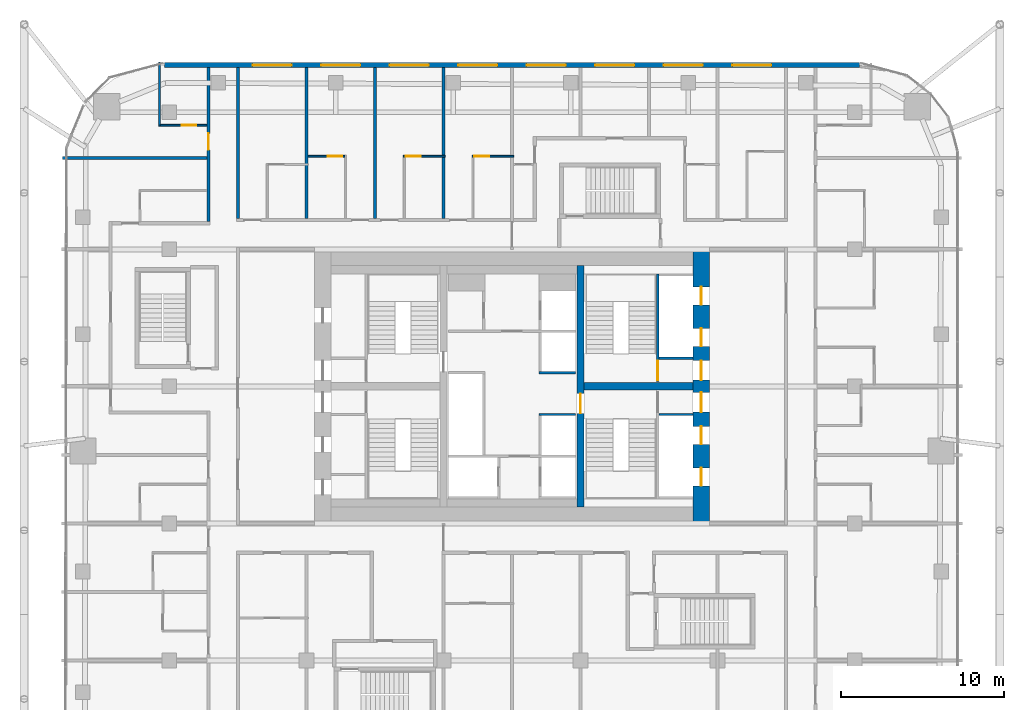
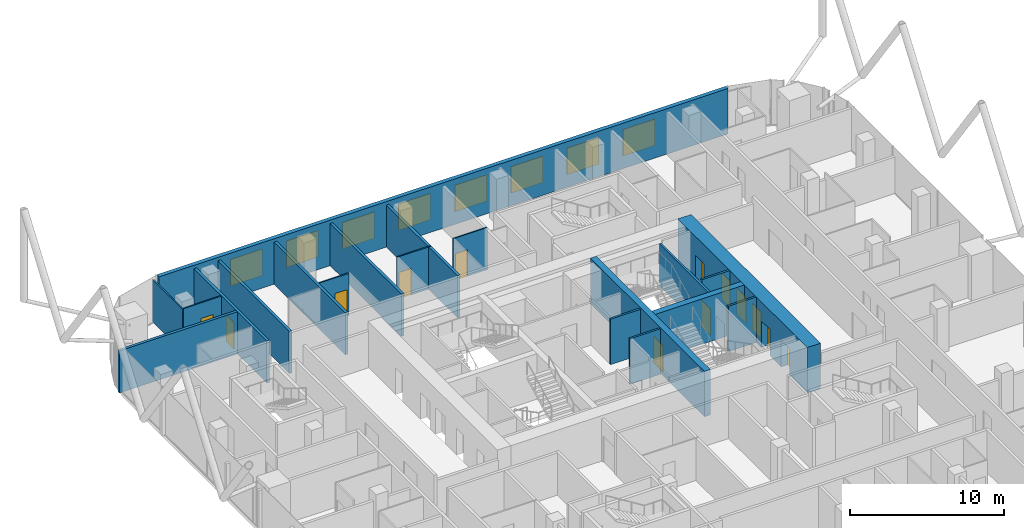
# One storey, part 32 of 36: 20 walls, 13 doors, 8 windows, 21 openings.
"""IFC4 building model written with IfcOpenShell, lengths in metres."""

from ifc_helpers import new_model, si_unit, direction, frame, frame_2d, origin, place, context, subcontext, project, spatial, rectangle, extrude, material, layer, layer_set, type_object, element, fill, save


model = new_model("IFC4")

# Units and contexts
model_context = context("Model", 3, precision=1e-05, world=origin(), true_north=direction((0.0, 1.0)))
body_context = subcontext(model_context, "Body", "Model", "MODEL_VIEW")
ifc_project = project(units=[si_unit("LENGTHUNIT", "METRE"), si_unit("AREAUNIT", "SQUARE_METRE"), si_unit("VOLUMEUNIT", "CUBIC_METRE"), si_unit("PLANEANGLEUNIT", "RADIAN"), si_unit("MASSUNIT", "GRAM", prefix="KILO")], contexts=[model_context])

# Site, building, storey
site_placement = place(None, origin())
site = spatial("IfcSite", under=ifc_project, at=site_placement, CompositionType="ELEMENT")
building_placement = place(site_placement, origin())
building = spatial("IfcBuilding", under=site, at=building_placement, Name="Marenta Gate Hotel Tower", CompositionType="ELEMENT")
storey_placement = place(building_placement, frame((0.0, 0.0, 115.699951171875)))
storey = spatial("IfcBuildingStorey", under=building, at=storey_placement, Name="L25", CompositionType="ELEMENT", Elevation=115.699951171875)

# Wall, openings, windows
ifc_material_1 = material(Name="Concrete C40 board-marked", Category="concrete")
ifc_layer_1 = layer(ifc_material_1, 0.300048828125)
ifc_layer_set_1 = layer_set([ifc_layer_1], Name="Concrete C40 board-marked")
wall_type_1 = type_object("IfcWallType", Name="Board-marked concrete wall 300 mm", PredefinedType="NOTDEFINED", material=ifc_layer_set_1)
wall_1_placement = place(storey_placement, frame((21.305908203125, 28.090087890625, 0.0), z_axis=(0.0, 0.0, 1.0), x_axis=(-1.0, 0.0, 0.0)))
wall_1 = element("IfcWall", 1, at=wall_1_placement, inside=storey, type_object=wall_type_1, Name="L25-CLD-N00", PredefinedType="NOTDEFINED", context=body_context, shape_type="SweptSolid", body=[
    extrude(rectangle(XDim=42.61181640625, YDim=0.300048828125, at=frame_2d((21.305908203125, 0.0))), origin(), (0.0, 0.0, 1.0), 3.60009765625),
])
opening_1_placement = place(wall_1_placement, frame((5.406005859375, 0.0, 0.89990234375)))
opening_1 = element("IfcOpeningElement", 2, at=opening_1_placement, cuts=wall_1, Name="Opening W1", PredefinedType="OPENING", context=body_context, shape_type="SweptSolid", body=[
    extrude(rectangle(XDim=2.39990234375, YDim=2.10009765625, at=frame_2d((1.199951171875, 1.050048828125))), frame((0.0, 0.14990234375, 0.0), z_axis=(0.0, -1.0, 0.0), x_axis=(1.0, 0.0, 0.0)), (0.0, 0.0, 1.0), 0.300048828125),
])
opening_2_placement = place(wall_1_placement, frame((9.60595703125, 0.0, 0.89990234375)))
opening_2 = element("IfcOpeningElement", 3, at=opening_2_placement, cuts=wall_1, Name="Opening W1", PredefinedType="OPENING", context=body_context, shape_type="SweptSolid", body=[
    extrude(rectangle(XDim=2.39990234375, YDim=2.10009765625, at=frame_2d((1.199951171875, 1.050048828125))), frame((0.0, 0.14990234375, 0.0), z_axis=(0.0, -1.0, 0.0), x_axis=(1.0, 0.0, 0.0)), (0.0, 0.0, 1.0), 0.300048828125),
])
opening_3_placement = place(wall_1_placement, frame((13.805908203125, 0.0, 0.89990234375)))
opening_3 = element("IfcOpeningElement", 4, at=opening_3_placement, cuts=wall_1, Name="Opening W1", PredefinedType="OPENING", context=body_context, shape_type="SweptSolid", body=[
    extrude(rectangle(XDim=2.39990234375, YDim=2.10009765625, at=frame_2d((1.199951171875, 1.050048828125))), frame((0.0, 0.14990234375, 0.0), z_axis=(0.0, -1.0, 0.0), x_axis=(1.0, 0.0, 0.0)), (0.0, 0.0, 1.0), 0.300048828125),
])
opening_4_placement = place(wall_1_placement, frame((18.005859375, 0.0, 0.89990234375)))
opening_4 = element("IfcOpeningElement", 5, at=opening_4_placement, cuts=wall_1, Name="Opening W1", PredefinedType="OPENING", context=body_context, shape_type="SweptSolid", body=[
    extrude(rectangle(XDim=2.39990234375, YDim=2.10009765625, at=frame_2d((1.199951171875, 1.050048828125))), frame((0.0, 0.14990234375, 0.0), z_axis=(0.0, -1.0, 0.0), x_axis=(1.0, 0.0, 0.0)), (0.0, 0.0, 1.0), 0.300048828125),
])
opening_5_placement = place(wall_1_placement, frame((22.205810546875, 0.0, 0.89990234375)))
opening_5 = element("IfcOpeningElement", 6, at=opening_5_placement, cuts=wall_1, Name="Opening W1", PredefinedType="OPENING", context=body_context, shape_type="SweptSolid", body=[
    extrude(rectangle(XDim=2.39990234375, YDim=2.10009765625, at=frame_2d((1.199951171875, 1.050048828125))), frame((0.0, 0.14990234375, 0.0), z_axis=(0.0, -1.0, 0.0), x_axis=(1.0, 0.0, 0.0)), (0.0, 0.0, 1.0), 0.300048828125),
])
opening_6_placement = place(wall_1_placement, frame((26.406005859375, 0.0, 0.89990234375)))
opening_6 = element("IfcOpeningElement", 7, at=opening_6_placement, cuts=wall_1, Name="Opening W1", PredefinedType="OPENING", context=body_context, shape_type="SweptSolid", body=[
    extrude(rectangle(XDim=2.39990234375, YDim=2.10009765625, at=frame_2d((1.199951171875, 1.050048828125))), frame((0.0, 0.14990234375, 0.0), z_axis=(0.0, -1.0, 0.0), x_axis=(1.0, 0.0, 0.0)), (0.0, 0.0, 1.0), 0.300048828125),
])
opening_7_placement = place(wall_1_placement, frame((30.60595703125, 0.0, 0.89990234375)))
opening_7 = element("IfcOpeningElement", 8, at=opening_7_placement, cuts=wall_1, Name="Opening W1", PredefinedType="OPENING", context=body_context, shape_type="SweptSolid", body=[
    extrude(rectangle(XDim=2.39990234375, YDim=2.10009765625, at=frame_2d((1.199951171875, 1.050048828125))), frame((0.0, 0.14990234375, 0.0), z_axis=(0.0, -1.0, 0.0), x_axis=(1.0, 0.0, 0.0)), (0.0, 0.0, 1.0), 0.300048828125),
])
opening_8_placement = place(wall_1_placement, frame((34.805908203125, 0.0, 0.89990234375)))
opening_8 = element("IfcOpeningElement", 9, at=opening_8_placement, cuts=wall_1, Name="Opening W1", PredefinedType="OPENING", context=body_context, shape_type="SweptSolid", body=[
    extrude(rectangle(XDim=2.39990234375, YDim=2.10009765625, at=frame_2d((1.199951171875, 1.050048828125))), frame((0.0, 0.14990234375, 0.0), z_axis=(0.0, -1.0, 0.0), x_axis=(1.0, 0.0, 0.0)), (0.0, 0.0, 1.0), 0.300048828125),
])
ifc_material_2 = material(Name="Tinted insulated glass in bronze anodised frame", Category="glass")
window_type = type_object("IfcWindowType", Name="Window W1 2400x2100 bronze frame", PartitioningType="SINGLE_PANEL", PredefinedType="WINDOW", material=ifc_material_2)
window_1_placement = place(opening_1_placement, origin())
window_1 = element("IfcWindow", 10, at=window_1_placement, inside=storey, type_object=window_type, Name="Window W1", OverallHeight=2.10009765625, OverallWidth=2.39990234375, PartitioningType="SINGLE_PANEL", PredefinedType="WINDOW", context=body_context, shape_type="SweptSolid", body=[
    extrude(rectangle(XDim=2.39990234375, YDim=2.10009765625, at=frame_2d((1.199951171875, 1.050048828125))), frame((0.0, 0.030029296875, 0.0), z_axis=(0.0, -1.0, 0.0), x_axis=(1.0, 0.0, 0.0)), (0.0, 0.0, 1.0), 0.06005859375),
])
fill(opening_1, window_1)
window_2_placement = place(opening_2_placement, origin())
window_2 = element("IfcWindow", 11, at=window_2_placement, inside=storey, type_object=window_type, Name="Window W1", OverallHeight=2.10009765625, OverallWidth=2.39990234375, PartitioningType="SINGLE_PANEL", PredefinedType="WINDOW", context=body_context, shape_type="SweptSolid", body=[
    extrude(rectangle(XDim=2.39990234375, YDim=2.10009765625, at=frame_2d((1.199951171875, 1.050048828125))), frame((0.0, 0.030029296875, 0.0), z_axis=(0.0, -1.0, 0.0), x_axis=(1.0, 0.0, 0.0)), (0.0, 0.0, 1.0), 0.06005859375),
])
fill(opening_2, window_2)
window_3_placement = place(opening_3_placement, origin())
window_3 = element("IfcWindow", 12, at=window_3_placement, inside=storey, type_object=window_type, Name="Window W1", OverallHeight=2.10009765625, OverallWidth=2.39990234375, PartitioningType="SINGLE_PANEL", PredefinedType="WINDOW", context=body_context, shape_type="SweptSolid", body=[
    extrude(rectangle(XDim=2.39990234375, YDim=2.10009765625, at=frame_2d((1.199951171875, 1.050048828125))), frame((0.0, 0.030029296875, 0.0), z_axis=(0.0, -1.0, 0.0), x_axis=(1.0, 0.0, 0.0)), (0.0, 0.0, 1.0), 0.06005859375),
])
fill(opening_3, window_3)
window_4_placement = place(opening_4_placement, origin())
window_4 = element("IfcWindow", 13, at=window_4_placement, inside=storey, type_object=window_type, Name="Window W1", OverallHeight=2.10009765625, OverallWidth=2.39990234375, PartitioningType="SINGLE_PANEL", PredefinedType="WINDOW", context=body_context, shape_type="SweptSolid", body=[
    extrude(rectangle(XDim=2.39990234375, YDim=2.10009765625, at=frame_2d((1.199951171875, 1.050048828125))), frame((0.0, 0.030029296875, 0.0), z_axis=(0.0, -1.0, 0.0), x_axis=(1.0, 0.0, 0.0)), (0.0, 0.0, 1.0), 0.06005859375),
])
fill(opening_4, window_4)
window_5_placement = place(opening_5_placement, origin())
window_5 = element("IfcWindow", 14, at=window_5_placement, inside=storey, type_object=window_type, Name="Window W1", OverallHeight=2.10009765625, OverallWidth=2.39990234375, PartitioningType="SINGLE_PANEL", PredefinedType="WINDOW", context=body_context, shape_type="SweptSolid", body=[
    extrude(rectangle(XDim=2.39990234375, YDim=2.10009765625, at=frame_2d((1.199951171875, 1.050048828125))), frame((0.0, 0.030029296875, 0.0), z_axis=(0.0, -1.0, 0.0), x_axis=(1.0, 0.0, 0.0)), (0.0, 0.0, 1.0), 0.06005859375),
])
fill(opening_5, window_5)
window_6_placement = place(opening_6_placement, origin())
window_6 = element("IfcWindow", 15, at=window_6_placement, inside=storey, type_object=window_type, Name="Window W1", OverallHeight=2.10009765625, OverallWidth=2.39990234375, PartitioningType="SINGLE_PANEL", PredefinedType="WINDOW", context=body_context, shape_type="SweptSolid", body=[
    extrude(rectangle(XDim=2.39990234375, YDim=2.10009765625, at=frame_2d((1.199951171875, 1.050048828125))), frame((0.0, 0.030029296875, 0.0), z_axis=(0.0, -1.0, 0.0), x_axis=(1.0, 0.0, 0.0)), (0.0, 0.0, 1.0), 0.06005859375),
])
fill(opening_6, window_6)
window_7_placement = place(opening_7_placement, origin())
window_7 = element("IfcWindow", 16, at=window_7_placement, inside=storey, type_object=window_type, Name="Window W1", OverallHeight=2.10009765625, OverallWidth=2.39990234375, PartitioningType="SINGLE_PANEL", PredefinedType="WINDOW", context=body_context, shape_type="SweptSolid", body=[
    extrude(rectangle(XDim=2.39990234375, YDim=2.10009765625, at=frame_2d((1.199951171875, 1.050048828125))), frame((0.0, 0.030029296875, 0.0), z_axis=(0.0, -1.0, 0.0), x_axis=(1.0, 0.0, 0.0)), (0.0, 0.0, 1.0), 0.06005859375),
])
fill(opening_7, window_7)
window_8_placement = place(opening_8_placement, origin())
window_8 = element("IfcWindow", 17, at=window_8_placement, inside=storey, type_object=window_type, Name="Window W1", OverallHeight=2.10009765625, OverallWidth=2.39990234375, PartitioningType="SINGLE_PANEL", PredefinedType="WINDOW", context=body_context, shape_type="SweptSolid", body=[
    extrude(rectangle(XDim=2.39990234375, YDim=2.10009765625, at=frame_2d((1.199951171875, 1.050048828125))), frame((0.0, 0.030029296875, 0.0), z_axis=(0.0, -1.0, 0.0), x_axis=(1.0, 0.0, 0.0)), (0.0, 0.0, 1.0), 0.06005859375),
])
fill(opening_8, window_8)

# Walls
ifc_material_3 = material(Name="Concrete C40", Category="concrete")
ifc_layer_2 = layer(ifc_material_3, 0.14990234375)
ifc_layer_set_2 = layer_set([ifc_layer_2], Name="Concrete C40")
wall_type_2 = type_object("IfcWallType", Name="Core shaft wall 150 REI 180", PredefinedType="SHEAR", material=ifc_layer_set_2)
for number, where, z_axis, x_axis, name in (
    (18, (9.0, 6.675048828125, 0.0), (0.0, 0.0, 1.0), (1.0, 0.0, 0.0), "L25-SHF-SW-ES-2"),
    (19, (9.0, 10.125, 0.0), (0.0, 0.0, 1.0), (1.0, 0.0, 0.0), "L25-SHF-SW-EN-2"),
):
    element("IfcWall", number, at=place(storey_placement, frame(where, z_axis=z_axis, x_axis=x_axis)), inside=storey, type_object=wall_type_2, Name=name, PredefinedType="SHEAR", context=body_context, shape_type="SweptSolid", body=[
        extrude(rectangle(XDim=2.10009765625, YDim=0.14990234375, at=frame_2d((1.050048828125, 0.0))), origin(), (0.0, 0.0, 1.0), 3.60009765625),
    ])
for number, where, z_axis, x_axis, name in (
    (20, (1.64990234375, 6.675048828125, 0.0), (0.0, 0.0, 1.0), (1.0, 0.0, 0.0), "L25-SHF-CE-sep1"),
    (21, (1.64990234375, 9.22509765625, 0.0), (0.0, 0.0, 1.0), (1.0, 0.0, 0.0), "L25-SHF-CE-sep2"),
):
    element("IfcWall", number, at=place(storey_placement, frame(where, z_axis=z_axis, x_axis=x_axis)), inside=storey, type_object=wall_type_2, Name=name, PredefinedType="SHEAR", context=body_context, shape_type="SweptSolid", body=[
        extrude(rectangle(XDim=2.25, YDim=0.14990234375, at=frame_2d((1.125, 0.0))), origin(), (0.0, 0.0, 1.0), 3.60009765625),
    ])

# Wall, opening, door
ifc_material_4 = material(Name="Concrete C40", Category="concrete")
ifc_layer_3 = layer(ifc_material_4, 0.14990234375)
ifc_layer_set_3 = layer_set([ifc_layer_3], Name="Concrete C40")
wall_type_3 = type_object("IfcWallType", Name="Core stair enclosure wall 150 REI 180", PredefinedType="SHEAR", material=ifc_layer_set_3)
wall_2_placement = place(storey_placement, frame((8.925048828125, 8.699951171875, 0.0), z_axis=(0.0, 0.0, 1.0), x_axis=(0.0, 1.0, 0.0)))
wall_2 = element("IfcWall", 22, at=wall_2_placement, inside=storey, type_object=wall_type_3, Name="L25-SHF-SW-EN-3", PredefinedType="SHEAR", context=body_context, shape_type="SweptSolid", body=[
    extrude(rectangle(XDim=6.60009765625, YDim=0.14990234375, at=frame_2d((3.300048828125, 0.0))), origin(), (0.0, 0.0, 1.0), 3.340087890625),
])
opening_9_placement = place(wall_2_placement, frame((0.074951171875, 0.0, 0.0)))
opening_9 = element("IfcOpeningElement", 23, at=opening_9_placement, cuts=wall_2, Name="Opening SD-EN", PredefinedType="OPENING", context=body_context, shape_type="SweptSolid", body=[
    extrude(rectangle(XDim=1.199951171875, YDim=2.10009765625, at=frame_2d((0.60009765625, 1.050048828125))), frame((0.0, 0.074951171875, 0.0), z_axis=(0.0, -1.0, 0.0), x_axis=(1.0, 0.0, 0.0)), (0.0, 0.0, 1.0), 0.14990234375),
])
ifc_material_5 = material(Name="Steel", Category="steel")
door_type_1 = type_object("IfcDoorType", Name="Core stair door 1200x2100 FD60", OperationType="SINGLE_SWING_LEFT", PredefinedType="DOOR", material=ifc_material_5)
door_1_placement = place(opening_9_placement, origin())
door_1 = element("IfcDoor", 24, at=door_1_placement, inside=storey, type_object=door_type_1, Name="SD-EN", OperationType="SINGLE_SWING_LEFT", OverallHeight=2.10009765625, OverallWidth=1.199951171875, PredefinedType="DOOR", context=body_context, shape_type="SweptSolid", body=[
    extrude(rectangle(XDim=1.199951171875, YDim=2.10009765625, at=frame_2d((0.60009765625, 1.050048828125))), frame((0.0, 0.02490234375, 0.0), z_axis=(0.0, -1.0, 0.0), x_axis=(1.0, 0.0, 0.0)), (0.0, 0.0, 1.0), 0.050048828125),
])
fill(opening_9, door_1)

# Wall, openings, doors
ifc_material_6 = material(Name="Concrete C70", Category="concrete")
ifc_layer_4 = layer(ifc_material_6, 1.0)
ifc_layer_set_4 = layer_set([ifc_layer_4], Name="Concrete C70")
wall_type_4 = type_object("IfcWallType", Name="Core wall 1000 C70", PredefinedType="SHEAR", material=ifc_layer_set_4)
wall_3_placement = place(storey_placement, frame((11.60009765625, 0.0, 0.0), z_axis=(0.0, 0.0, 1.0), x_axis=(0.0, 1.0, 0.0)))
wall_3 = element("IfcWall", 25, at=wall_3_placement, inside=storey, type_object=wall_type_4, Name="L25-CORE-E", PredefinedType="SHEAR", context=body_context, shape_type="SweptSolid", body=[
    extrude(rectangle(XDim=16.800048828125, YDim=1.0, at=frame_2d((8.39990234375, 0.0))), origin(), (0.0, 0.0, 1.0), 3.60009765625),
])
opening_10_placement = place(wall_3_placement, frame((2.300048828125, 0.0, 0.0)))
opening_10 = element("IfcOpeningElement", 26, at=opening_10_placement, cuts=wall_3, Name="Opening LD-HR1", PredefinedType="OPENING", context=body_context, shape_type="SweptSolid", body=[
    extrude(rectangle(XDim=1.10009765625, YDim=2.10009765625, at=frame_2d((0.550048828125, 1.050048828125))), frame((0.0, 0.5, 0.0), z_axis=(0.0, -1.0, 0.0), x_axis=(1.0, 0.0, 0.0)), (0.0, 0.0, 1.0), 1.0),
])
opening_11_placement = place(wall_3_placement, frame((4.85009765625, 0.0, 0.0)))
opening_11 = element("IfcOpeningElement", 27, at=opening_11_placement, cuts=wall_3, Name="Opening LD-HR2", PredefinedType="OPENING", context=body_context, shape_type="SweptSolid", body=[
    extrude(rectangle(XDim=1.10009765625, YDim=2.10009765625, at=frame_2d((0.550048828125, 1.050048828125))), frame((0.0, 0.5, 0.0), z_axis=(0.0, -1.0, 0.0), x_axis=(1.0, 0.0, 0.0)), (0.0, 0.0, 1.0), 1.0),
])
opening_12_placement = place(wall_3_placement, frame((6.824951171875, 0.0, 0.0)))
opening_12 = element("IfcOpeningElement", 28, at=opening_12_placement, cuts=wall_3, Name="Opening PD-ES", PredefinedType="OPENING", context=body_context, shape_type="SweptSolid", body=[
    extrude(rectangle(XDim=1.199951171875, YDim=2.10009765625, at=frame_2d((0.60009765625, 1.050048828125))), frame((0.0, 0.5, 0.0), z_axis=(0.0, -1.0, 0.0), x_axis=(1.0, 0.0, 0.0)), (0.0, 0.0, 1.0), 1.0),
])
opening_13_placement = place(wall_3_placement, frame((13.39990234375, 0.0, 0.0)))
opening_13 = element("IfcOpeningElement", 29, at=opening_13_placement, cuts=wall_3, Name="Opening LD-HR4", PredefinedType="OPENING", context=body_context, shape_type="SweptSolid", body=[
    extrude(rectangle(XDim=1.10009765625, YDim=2.10009765625, at=frame_2d((0.550048828125, 1.050048828125))), frame((0.0, 0.5, 0.0), z_axis=(0.0, -1.0, 0.0), x_axis=(1.0, 0.0, 0.0)), (0.0, 0.0, 1.0), 1.0),
])
opening_14_placement = place(wall_3_placement, frame((10.85009765625, 0.0, 0.0)))
opening_14 = element("IfcOpeningElement", 30, at=opening_14_placement, cuts=wall_3, Name="Opening LD-HR3", PredefinedType="OPENING", context=body_context, shape_type="SweptSolid", body=[
    extrude(rectangle(XDim=1.10009765625, YDim=2.10009765625, at=frame_2d((0.550048828125, 1.050048828125))), frame((0.0, 0.5, 0.0), z_axis=(0.0, -1.0, 0.0), x_axis=(1.0, 0.0, 0.0)), (0.0, 0.0, 1.0), 1.0),
])
opening_15_placement = place(wall_3_placement, frame((8.77490234375, 0.0, 0.0)))
opening_15 = element("IfcOpeningElement", 31, at=opening_15_placement, cuts=wall_3, Name="Opening PD-EN", PredefinedType="OPENING", context=body_context, shape_type="SweptSolid", body=[
    extrude(rectangle(XDim=1.199951171875, YDim=2.10009765625, at=frame_2d((0.60009765625, 1.050048828125))), frame((0.0, 0.5, 0.0), z_axis=(0.0, -1.0, 0.0), x_axis=(1.0, 0.0, 0.0)), (0.0, 0.0, 1.0), 1.0),
])
ifc_material_7 = material(Name="Steel", Category="steel")
door_type_2 = type_object("IfcDoorType", Name="Core lift landing door 1100x2100 E 60", OperationType="SLIDING_TO_LEFT", PredefinedType="DOOR", material=ifc_material_7)
door_2_placement = place(opening_10_placement, origin())
door_2 = element("IfcDoor", 32, at=door_2_placement, inside=storey, type_object=door_type_2, Name="LD-HR1", OperationType="SLIDING_TO_LEFT", OverallHeight=2.10009765625, OverallWidth=1.10009765625, PredefinedType="DOOR", context=body_context, shape_type="SweptSolid", body=[
    extrude(rectangle(XDim=1.10009765625, YDim=2.10009765625, at=frame_2d((0.550048828125, 1.050048828125))), frame((0.0, 0.02490234375, 0.0), z_axis=(0.0, -1.0, 0.0), x_axis=(1.0, 0.0, 0.0)), (0.0, 0.0, 1.0), 0.050048828125),
])
fill(opening_10, door_2)
door_3_placement = place(opening_11_placement, origin())
door_3 = element("IfcDoor", 33, at=door_3_placement, inside=storey, type_object=door_type_2, Name="LD-HR2", OperationType="SLIDING_TO_LEFT", OverallHeight=2.10009765625, OverallWidth=1.10009765625, PredefinedType="DOOR", context=body_context, shape_type="SweptSolid", body=[
    extrude(rectangle(XDim=1.10009765625, YDim=2.10009765625, at=frame_2d((0.550048828125, 1.050048828125))), frame((0.0, 0.02490234375, 0.0), z_axis=(0.0, -1.0, 0.0), x_axis=(1.0, 0.0, 0.0)), (0.0, 0.0, 1.0), 0.050048828125),
])
fill(opening_11, door_3)
door_4_placement = place(opening_13_placement, origin())
door_4 = element("IfcDoor", 34, at=door_4_placement, inside=storey, type_object=door_type_2, Name="LD-HR4", OperationType="SLIDING_TO_LEFT", OverallHeight=2.10009765625, OverallWidth=1.10009765625, PredefinedType="DOOR", context=body_context, shape_type="SweptSolid", body=[
    extrude(rectangle(XDim=1.10009765625, YDim=2.10009765625, at=frame_2d((0.550048828125, 1.050048828125))), frame((0.0, 0.02490234375, 0.0), z_axis=(0.0, -1.0, 0.0), x_axis=(1.0, 0.0, 0.0)), (0.0, 0.0, 1.0), 0.050048828125),
])
fill(opening_13, door_4)
door_5_placement = place(opening_14_placement, origin())
door_5 = element("IfcDoor", 35, at=door_5_placement, inside=storey, type_object=door_type_2, Name="LD-HR3", OperationType="SLIDING_TO_LEFT", OverallHeight=2.10009765625, OverallWidth=1.10009765625, PredefinedType="DOOR", context=body_context, shape_type="SweptSolid", body=[
    extrude(rectangle(XDim=1.10009765625, YDim=2.10009765625, at=frame_2d((0.550048828125, 1.050048828125))), frame((0.0, 0.02490234375, 0.0), z_axis=(0.0, -1.0, 0.0), x_axis=(1.0, 0.0, 0.0)), (0.0, 0.0, 1.0), 0.050048828125),
])
fill(opening_14, door_5)
ifc_material_8 = material(Name="Steel", Category="steel")
door_type_3 = type_object("IfcDoorType", Name="Core lobby door 1200x2100 FD60", OperationType="SINGLE_SWING_LEFT", PredefinedType="DOOR", material=ifc_material_8)
door_6_placement = place(opening_12_placement, origin())
door_6 = element("IfcDoor", 36, at=door_6_placement, inside=storey, type_object=door_type_3, Name="PD-ES", OperationType="SINGLE_SWING_LEFT", OverallHeight=2.10009765625, OverallWidth=1.199951171875, PredefinedType="DOOR", context=body_context, shape_type="SweptSolid", body=[
    extrude(rectangle(XDim=1.199951171875, YDim=2.10009765625, at=frame_2d((0.60009765625, 1.050048828125))), frame((0.0, 0.02490234375, 0.0), z_axis=(0.0, -1.0, 0.0), x_axis=(1.0, 0.0, 0.0)), (0.0, 0.0, 1.0), 0.050048828125),
])
fill(opening_12, door_6)
door_7_placement = place(opening_15_placement, origin())
door_7 = element("IfcDoor", 37, at=door_7_placement, inside=storey, type_object=door_type_3, Name="PD-EN", OperationType="SINGLE_SWING_LEFT", OverallHeight=2.10009765625, OverallWidth=1.199951171875, PredefinedType="DOOR", context=body_context, shape_type="SweptSolid", body=[
    extrude(rectangle(XDim=1.199951171875, YDim=2.10009765625, at=frame_2d((0.60009765625, 1.050048828125))), frame((0.0, 0.02490234375, 0.0), z_axis=(0.0, -1.0, 0.0), x_axis=(1.0, 0.0, 0.0)), (0.0, 0.0, 1.0), 0.050048828125),
])
fill(opening_15, door_7)

# Wall, opening, door
ifc_material_9 = material(Name="Concrete C70", Category="concrete")
ifc_layer_5 = layer(ifc_material_9, 0.449951171875)
ifc_layer_set_5 = layer_set([ifc_layer_5], Name="Concrete C70")
wall_type_5 = type_object("IfcWallType", Name="Core web 450 C70", PredefinedType="SHEAR", material=ifc_layer_set_5)
wall_4_placement = place(storey_placement, frame((4.199951171875, 1.0, 0.0), z_axis=(0.0, 0.0, 1.0), x_axis=(0.0, 1.0, 0.0)))
wall_4 = element("IfcWall", 38, at=wall_4_placement, inside=storey, type_object=wall_type_5, Name="L25-CORE-W2", PredefinedType="SHEAR", context=body_context, shape_type="SweptSolid", body=[
    extrude(rectangle(XDim=14.800048828125, YDim=0.449951171875, at=frame_2d((7.39990234375, 0.0))), origin(), (0.0, 0.0, 1.0), 3.60009765625),
])
opening_16_placement = place(wall_4_placement, frame((5.75, 0.0, 0.0)))
opening_16 = element("IfcOpeningElement", 39, at=opening_16_placement, cuts=wall_4, Name="Opening WD-E", PredefinedType="OPENING", context=body_context, shape_type="SweptSolid", body=[
    extrude(rectangle(XDim=1.199951171875, YDim=2.10009765625, at=frame_2d((0.60009765625, 1.050048828125))), frame((0.0, 0.22509765625, 0.0), z_axis=(0.0, -1.0, 0.0), x_axis=(1.0, 0.0, 0.0)), (0.0, 0.0, 1.0), 0.449951171875),
])
door_8_placement = place(opening_16_placement, origin())
door_8 = element("IfcDoor", 40, at=door_8_placement, inside=storey, type_object=door_type_1, Name="WD-E", OperationType="SINGLE_SWING_LEFT", OverallHeight=2.10009765625, OverallWidth=1.199951171875, PredefinedType="DOOR", context=body_context, shape_type="SweptSolid", body=[
    extrude(rectangle(XDim=1.199951171875, YDim=2.10009765625, at=frame_2d((0.60009765625, 1.050048828125))), frame((0.0, 0.02490234375, 0.0), z_axis=(0.0, -1.0, 0.0), x_axis=(1.0, 0.0, 0.0)), (0.0, 0.0, 1.0), 0.050048828125),
])
fill(opening_16, door_8)

# Walls
wall_5_placement = place(storey_placement, frame((4.425048828125, 8.39990234375, 0.0), z_axis=(0.0, 0.0, 1.0), x_axis=(1.0, 0.0, 0.0)))
element("IfcWall", 41, at=wall_5_placement, inside=storey, type_object=wall_type_5, Name="L25-CORE-W4", PredefinedType="SHEAR", context=body_context, shape_type="SweptSolid", body=[
    extrude(rectangle(XDim=6.675048828125, YDim=0.449951171875, at=frame_2d((3.33740234375, 0.0))), origin(), (0.0, 0.0, 1.0), 3.60009765625),
])
ifc_material_10 = material(Name="Gypsum board on steel stud", Category="steel")
ifc_layer_6 = layer(ifc_material_10, 0.199951171875)
ifc_layer_set_6 = layer_set([ifc_layer_6], Name="Gypsum board on steel stud")
wall_type_6 = type_object("IfcWallType", Name="Room corridor wall 200 EI 60", PredefinedType="PARTITIONING", material=ifc_layer_set_6)
wall_6_placement = place(storey_placement, frame((-16.800048828125, 18.699951171875, 0.0), z_axis=(0.0, 0.0, 1.0), x_axis=(0.0, 1.0, 0.0)))
element("IfcWall", 42, at=wall_6_placement, inside=storey, type_object=wall_type_6, Name="L25-PTN-W099", PredefinedType="PARTITIONING", context=body_context, shape_type="SweptSolid", body=[
    extrude(rectangle(XDim=9.239990234375, YDim=0.199951171875, at=frame_2d((4.6201171875, 0.0))), origin(), (0.0, 0.0, 1.0), 3.340087890625),
])

# Wall, opening, door
wall_7_placement = place(storey_placement, frame((-18.60009765625, 18.5, 0.0), z_axis=(0.0, 0.0, 1.0), x_axis=(0.0, 1.0, 0.0)))
wall_7 = element("IfcWall", 43, at=wall_7_placement, inside=storey, type_object=wall_type_6, Name="L25-PTN-W105", PredefinedType="PARTITIONING", context=body_context, shape_type="SweptSolid", body=[
    extrude(rectangle(XDim=9.43994140625, YDim=0.199951171875, at=frame_2d((4.719970703125, 0.0))), origin(), (0.0, 0.0, 1.0), 3.340087890625),
])
opening_17_placement = place(wall_7_placement, frame((4.39990234375, 0.0, 0.0)))
opening_17 = element("IfcOpeningElement", 44, at=opening_17_placement, cuts=wall_7, Name="Opening G09-66", PredefinedType="OPENING", context=body_context, shape_type="SweptSolid", body=[
    extrude(rectangle(XDim=1.0, YDim=2.10009765625, at=frame_2d((0.5, 1.050048828125))), frame((0.0, 0.10009765625, 0.0), z_axis=(0.0, -1.0, 0.0), x_axis=(1.0, 0.0, 0.0)), (0.0, 0.0, 1.0), 0.199951171875),
])
ifc_material_11 = material(Name="Timber door leaf", Category="wood")
door_type_4 = type_object("IfcDoorType", Name="Guest room door 1000x2100 EI 30", OperationType="NOTDEFINED", PredefinedType="DOOR", material=ifc_material_11)
door_9_placement = place(opening_17_placement, origin())
door_9 = element("IfcDoor", 45, at=door_9_placement, inside=storey, type_object=door_type_4, Name="L25-PD-D066", OperationType="SINGLE_SWING_LEFT", OverallHeight=2.10009765625, OverallWidth=1.0, PredefinedType="DOOR", context=body_context, shape_type="SweptSolid", body=[
    extrude(rectangle(XDim=1.0, YDim=2.10009765625, at=frame_2d((0.5, 1.050048828125))), frame((0.0, 0.02490234375, 0.0), z_axis=(0.0, -1.0, 0.0), x_axis=(1.0, 0.0, 0.0)), (0.0, 0.0, 1.0), 0.050048828125),
])
fill(opening_17, door_9)

# Wall
ifc_material_12 = material(Name="Gypsum board on steel stud", Category="steel")
ifc_layer_7 = layer(ifc_material_12, 0.10009765625)
ifc_layer_set_7 = layer_set([ifc_layer_7], Name="Gypsum board on steel stud")
wall_type_7 = type_object("IfcWallType", Name="Room partition 100", PredefinedType="PARTITIONING", material=ifc_layer_set_7)
wall_8_placement = place(storey_placement, frame((-21.60009765625, 24.35009765625, 0.0), z_axis=(0.0, 0.0, 1.0), x_axis=(0.0, 1.0, 0.0)))
element("IfcWall", 46, at=wall_8_placement, inside=storey, type_object=wall_type_7, Name="L25-PTN-W112", PredefinedType="PARTITIONING", context=body_context, shape_type="SweptSolid", body=[
    extrude(rectangle(XDim=3.910888671875, YDim=0.10009765625, at=frame_2d((1.95556640625, 0.0))), origin(), (0.0, 0.0, 1.0), 3.340087890625),
])

# Wall, opening, door
wall_9_placement = place(storey_placement, frame((-12.5, 22.5, 0.0), z_axis=(0.0, 0.0, 1.0), x_axis=(1.0, 0.0, 0.0)))
wall_9 = element("IfcWall", 47, at=wall_9_placement, inside=storey, type_object=wall_type_7, Name="L25-PTN-W119", PredefinedType="PARTITIONING", context=body_context, shape_type="SweptSolid", body=[
    extrude(rectangle(XDim=2.25, YDim=0.10009765625, at=frame_2d((1.125, 0.0))), origin(), (0.0, 0.0, 1.0), 3.340087890625),
])
opening_18_placement = place(wall_9_placement, frame((1.199951171875, 0.0, 0.0)))
opening_18 = element("IfcOpeningElement", 48, at=opening_18_placement, cuts=wall_9, Name="Opening G09-29", PredefinedType="OPENING", context=body_context, shape_type="SweptSolid", body=[
    extrude(rectangle(XDim=0.89990234375, YDim=2.10009765625, at=frame_2d((0.449951171875, 1.050048828125))), frame((0.0, 0.050048828125, 0.0), z_axis=(0.0, -1.0, 0.0), x_axis=(1.0, 0.0, 0.0)), (0.0, 0.0, 1.0), 0.10009765625),
])
ifc_material_13 = material(Name="Timber door leaf", Category="wood")
door_type_5 = type_object("IfcDoorType", Name="Guest bathroom door 900x2100", OperationType="NOTDEFINED", PredefinedType="DOOR", material=ifc_material_13)
door_10_placement = place(opening_18_placement, origin())
door_10 = element("IfcDoor", 49, at=door_10_placement, inside=storey, type_object=door_type_5, Name="L25-PD-D029", OperationType="SINGLE_SWING_LEFT", OverallHeight=2.10009765625, OverallWidth=0.89990234375, PredefinedType="DOOR", context=body_context, shape_type="SweptSolid", body=[
    extrude(rectangle(XDim=0.89990234375, YDim=2.10009765625, at=frame_2d((0.449951171875, 1.050048828125))), frame((0.0, 0.02490234375, 0.0), z_axis=(0.0, -1.0, 0.0), x_axis=(1.0, 0.0, 0.0)), (0.0, 0.0, 1.0), 0.050048828125),
])
fill(opening_18, door_10)

wall_10_placement = place(storey_placement, frame((-6.64990234375, 22.5, 0.0), z_axis=(0.0, 0.0, 1.0), x_axis=(1.0, 0.0, 0.0)))
wall_10 = element("IfcWall", 50, at=wall_10_placement, inside=storey, type_object=wall_type_7, Name="L25-PTN-W120", PredefinedType="PARTITIONING", context=body_context, shape_type="SweptSolid", body=[
    extrude(rectangle(XDim=2.5498046875, YDim=0.10009765625, at=frame_2d((1.27490234375, 0.0))), origin(), (0.0, 0.0, 1.0), 3.340087890625),
])
opening_19_placement = place(wall_10_placement, frame((0.14990234375, 0.0, 0.0)))
opening_19 = element("IfcOpeningElement", 51, at=opening_19_placement, cuts=wall_10, Name="Opening G09-31", PredefinedType="OPENING", context=body_context, shape_type="SweptSolid", body=[
    extrude(rectangle(XDim=0.89990234375, YDim=2.10009765625, at=frame_2d((0.449951171875, 1.050048828125))), frame((0.0, 0.050048828125, 0.0), z_axis=(0.0, -1.0, 0.0), x_axis=(1.0, 0.0, 0.0)), (0.0, 0.0, 1.0), 0.10009765625),
])
door_11_placement = place(opening_19_placement, origin())
door_11 = element("IfcDoor", 52, at=door_11_placement, inside=storey, type_object=door_type_5, Name="L25-PD-D031", OperationType="SINGLE_SWING_RIGHT", OverallHeight=2.10009765625, OverallWidth=0.89990234375, PredefinedType="DOOR", context=body_context, shape_type="SweptSolid", body=[
    extrude(rectangle(XDim=0.89990234375, YDim=2.10009765625, at=frame_2d((0.449951171875, 1.050048828125))), frame((0.0, 0.02490234375, 0.0), z_axis=(0.0, -1.0, 0.0), x_axis=(1.0, 0.0, 0.0)), (0.0, 0.0, 1.0), 0.050048828125),
])
fill(opening_19, door_11)

wall_11_placement = place(storey_placement, frame((-2.449951171875, 22.5, 0.0), z_axis=(0.0, 0.0, 1.0), x_axis=(1.0, 0.0, 0.0)))
wall_11 = element("IfcWall", 53, at=wall_11_placement, inside=storey, type_object=wall_type_7, Name="L25-PTN-W121", PredefinedType="PARTITIONING", context=body_context, shape_type="SweptSolid", body=[
    extrude(rectangle(XDim=2.550048828125, YDim=0.10009765625, at=frame_2d((1.27490234375, 0.0))), origin(), (0.0, 0.0, 1.0), 3.340087890625),
])
opening_20_placement = place(wall_11_placement, frame((0.14990234375, 0.0, 0.0)))
opening_20 = element("IfcOpeningElement", 54, at=opening_20_placement, cuts=wall_11, Name="Opening G09-33", PredefinedType="OPENING", context=body_context, shape_type="SweptSolid", body=[
    extrude(rectangle(XDim=0.89990234375, YDim=2.10009765625, at=frame_2d((0.449951171875, 1.050048828125))), frame((0.0, 0.050048828125, 0.0), z_axis=(0.0, -1.0, 0.0), x_axis=(1.0, 0.0, 0.0)), (0.0, 0.0, 1.0), 0.10009765625),
])
door_12_placement = place(opening_20_placement, origin())
door_12 = element("IfcDoor", 55, at=door_12_placement, inside=storey, type_object=door_type_5, Name="L25-PD-D033", OperationType="SINGLE_SWING_RIGHT", OverallHeight=2.10009765625, OverallWidth=0.89990234375, PredefinedType="DOOR", context=body_context, shape_type="SweptSolid", body=[
    extrude(rectangle(XDim=0.89990234375, YDim=2.10009765625, at=frame_2d((0.449951171875, 1.050048828125))), frame((0.0, 0.02490234375, 0.0), z_axis=(0.0, -1.0, 0.0), x_axis=(1.0, 0.0, 0.0)), (0.0, 0.0, 1.0), 0.050048828125),
])
fill(opening_20, door_12)

wall_12_placement = place(storey_placement, frame((-21.550048828125, 24.39990234375, 0.0), z_axis=(0.0, 0.0, 1.0), x_axis=(1.0, 0.0, 0.0)))
wall_12 = element("IfcWall", 56, at=wall_12_placement, inside=storey, type_object=wall_type_7, Name="L25-PTN-W126", PredefinedType="PARTITIONING", context=body_context, shape_type="SweptSolid", body=[
    extrude(rectangle(XDim=2.85009765625, YDim=0.10009765625, at=frame_2d((1.425048828125, 0.0))), origin(), (0.0, 0.0, 1.0), 3.340087890625),
])
opening_21_placement = place(wall_12_placement, frame((1.300048828125, 0.0, 0.0)))
opening_21 = element("IfcOpeningElement", 57, at=opening_21_placement, cuts=wall_12, Name="Opening G09-67", PredefinedType="OPENING", context=body_context, shape_type="SweptSolid", body=[
    extrude(rectangle(XDim=0.89990234375, YDim=2.10009765625, at=frame_2d((0.449951171875, 1.050048828125))), frame((0.0, 0.050048828125, 0.0), z_axis=(0.0, -1.0, 0.0), x_axis=(1.0, 0.0, 0.0)), (0.0, 0.0, 1.0), 0.10009765625),
])
door_13_placement = place(opening_21_placement, origin())
door_13 = element("IfcDoor", 58, at=door_13_placement, inside=storey, type_object=door_type_5, Name="L25-PD-D067", OperationType="SINGLE_SWING_LEFT", OverallHeight=2.10009765625, OverallWidth=0.89990234375, PredefinedType="DOOR", context=body_context, shape_type="SweptSolid", body=[
    extrude(rectangle(XDim=0.89990234375, YDim=2.10009765625, at=frame_2d((0.449951171875, 1.050048828125))), frame((0.0, 0.02490234375, 0.0), z_axis=(0.0, -1.0, 0.0), x_axis=(1.0, 0.0, 0.0)), (0.0, 0.0, 1.0), 0.050048828125),
])
fill(opening_21, door_13)

# Walls
ifc_material_14 = material(Name="Gypsum board on steel stud", Category="steel")
ifc_layer_8 = layer(ifc_material_14, 0.199951171875)
ifc_layer_set_8 = layer_set([ifc_layer_8], Name="Gypsum board on steel stud")
wall_type_8 = type_object("IfcWallType", Name="Room party wall 200 EI 60", PredefinedType="PARTITIONING", material=ifc_layer_set_8)
for number, where, z_axis, x_axis, name in (
    (59, (-4.199951171875, 18.699951171875, 0.0), (0.0, 0.0, 1.0), (0.0, 1.0, 0.0), "L25-PTN-W071"),
    (60, (-8.39990234375, 18.699951171875, 0.0), (0.0, 0.0, 1.0), (0.0, 1.0, 0.0), "L25-PTN-W081"),
    (61, (-12.60009765625, 18.699951171875, 0.0), (0.0, 0.0, 1.0), (0.0, 1.0, 0.0), "L25-PTN-W092"),
):
    element("IfcWall", number, at=place(storey_placement, frame(where, z_axis=z_axis, x_axis=x_axis)), inside=storey, type_object=wall_type_8, Name=name, PredefinedType="PARTITIONING", context=body_context, shape_type="SweptSolid", body=[
        extrude(rectangle(XDim=9.239990234375, YDim=0.199951171875, at=frame_2d((4.6201171875, 0.0))), origin(), (0.0, 0.0, 1.0), 3.340087890625),
    ])
wall_13_placement = place(storey_placement, frame((-27.547119140625, 22.39990234375, 0.0), z_axis=(0.0, 0.0, 1.0), x_axis=(1.0, 0.0, 0.0)))
element("IfcWall", 62, at=wall_13_placement, inside=storey, type_object=wall_type_8, Name="L25-PTN-W117", PredefinedType="PARTITIONING", context=body_context, shape_type="SweptSolid", body=[
    extrude(rectangle(XDim=8.84716796875, YDim=0.199951171875, at=frame_2d((4.423583984375, 0.0))), origin(), (0.0, 0.0, 1.0), 3.340087890625),
])

save(model, "model.ifc")
